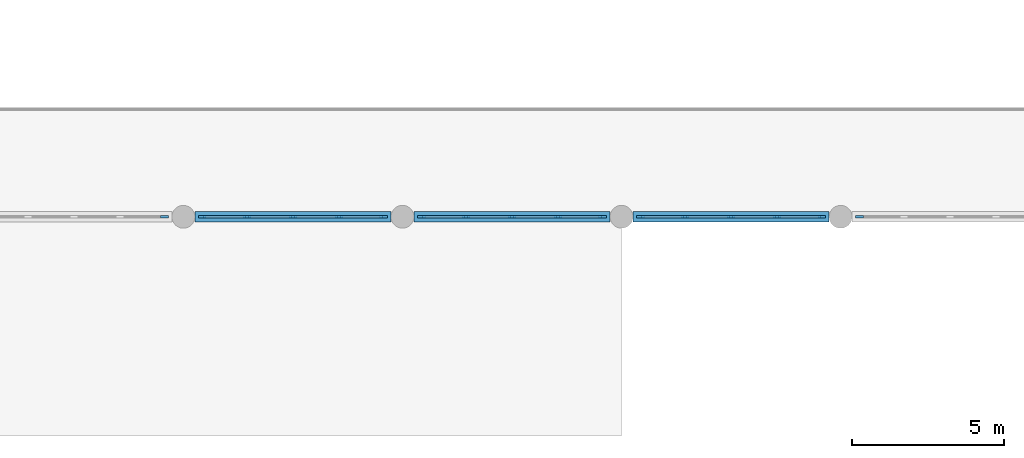
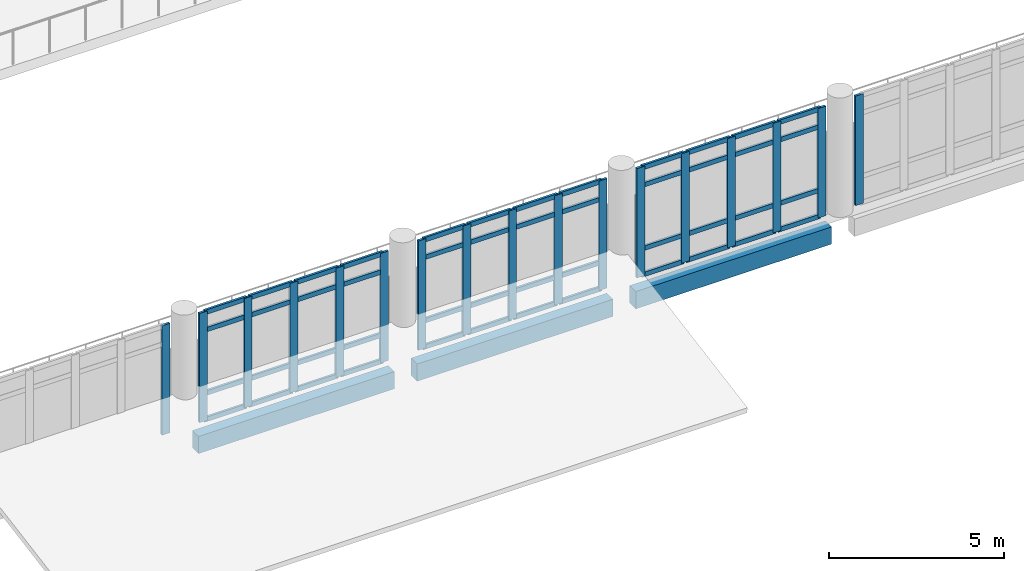
# One storey, part 12 of 57: 65 members, 3 beams, 5 elements without a shape of their own.
"""IFC4 building model written with IfcOpenShell, lengths in metres."""

from ifc_helpers import new_model, si_unit, direction, frame, origin, origin_2d, place, context, subcontext, project, spatial, rectangle, extrude, material, layer, layer_set, material_profile, profile_set, type_object, element, aggregate, save


model = new_model("IFC4")

# Units and contexts
model_context = context("Model", 3, precision=1e-05, world=origin(), true_north=direction((0.0, 1.0)))
body_context = subcontext(model_context, "Body", "Model", "MODEL_VIEW")
ifc_project = project(units=[si_unit("LENGTHUNIT", "METRE"), si_unit("AREAUNIT", "SQUARE_METRE"), si_unit("VOLUMEUNIT", "CUBIC_METRE"), si_unit("PLANEANGLEUNIT", "RADIAN"), si_unit("MASSUNIT", "GRAM", prefix="KILO")], contexts=[model_context])

# Site, building, storey
site_placement = place(None, origin())
site = spatial("IfcSite", under=ifc_project, at=site_placement, CompositionType="ELEMENT")
building_placement = place(site_placement, origin())
building = spatial("IfcBuilding", under=site, at=building_placement, Name="Valkovuoma Quantum and Materials Research Institute", CompositionType="ELEMENT")
storey_placement = place(building_placement, frame((0.0, 0.0, 4.800048828125)))
storey = spatial("IfcBuildingStorey", under=building, at=storey_placement, Name="L01", CompositionType="ELEMENT", Elevation=4.800048828125)

# Beams
ifc_material_1 = material(Name="Concrete C40/50", Category="concrete")
ifc_material_profile_1 = material_profile(ifc_material_1, rectangle(XDim=0.35009765625, YDim=0.60009765625, at=origin_2d()), Name="Concrete C40/50")
ifc_profile_set_1 = profile_set([ifc_material_profile_1], Name="Concrete C40/50")
beam_type = type_object("IfcBeamType", Name="Beam-B-SPN600", PredefinedType="SPANDREL", material=ifc_profile_set_1)
for number, where, z_axis, x_axis, name in (
    (1, (65.175048828125, 36.0, -0.650146484375), (1.0, 0.0, 0.0), (0.0, 1.0, 0.0), "L01 beam X-0571"),
    (2, (72.375, 36.0, -0.650146484375), (1.0, 0.0, 0.0), (0.0, 1.0, 0.0), "L01 beam X-0572"),
    (3, (79.574951171875, 36.0, -0.650146484375), (1.0, 0.0, 0.0), (0.0, 1.0, 0.0), "L01 beam X-0573"),
):
    element("IfcBeam", number, at=place(storey_placement, frame(where, z_axis=z_axis, x_axis=x_axis)), inside=storey, type_object=beam_type, Name=name, PredefinedType="SPANDREL", context=body_context, shape_type="SweptSolid", body=[
        extrude(rectangle(XDim=0.35009765625, YDim=0.60009765625, at=origin_2d()), origin(), (0.0, 0.0, 1.0), 6.449951171875),
    ])

# Curtain wall, member
ifc_material_2 = material(Name="Thermally broken aluminium and triple low-E glazing", Category="aluminium")
ifc_layer = layer(ifc_material_2, 0.219970703125)
ifc_layer_set = layer_set([ifc_layer], Name="Thermally broken aluminium and triple low-E glazing")
curtain_wall_type = type_object("IfcCurtainWallType", Name="CW-CW-02", PredefinedType="NOTDEFINED", material=ifc_layer_set)
curtain_wall_1_placement = place(storey_placement, origin())
curtain_wall_1 = element("IfcCurtainWall", 4, at=curtain_wall_1_placement, inside=storey, type_object=curtain_wall_type, Name="L01 curtain wall 165", PredefinedType="NOTDEFINED")
ifc_material_3 = material(Name="Anodised aluminium 6060-T66", Category="aluminium")
ifc_material_profile_2 = material_profile(ifc_material_3, rectangle(XDim=0.080078125, YDim=0.260009765625, at=origin_2d()), Name="Anodised aluminium 6060-T66")
ifc_profile_set_2 = profile_set([ifc_material_profile_2], Name="Anodised aluminium 6060-T66")
member_type_1 = type_object("IfcMemberType", Name="CWMull-CWM-03", PredefinedType="MULLION", material=ifc_profile_set_2)
member_1_placement = place(storey_placement, frame((64.179931640625, 36.0, 0.0), z_axis=(0.0, 0.0, 1.0), x_axis=(0.0, 1.0, 0.0)))
member_1 = element("IfcMember", 5, at=member_1_placement, type_object=member_type_1, Name="CW-02 mullion 5", PredefinedType="MULLION", context=body_context, shape_type="SweptSolid", body=[
    extrude(rectangle(XDim=0.080078125, YDim=0.260009765625, at=origin_2d()), origin(), (0.0, 0.0, 1.0), 3.81005859375),
])
aggregate(curtain_wall_1, [member_1])

# Curtain wall, members
curtain_wall_2_placement = place(storey_placement, origin())
curtain_wall_2 = element("IfcCurtainWall", 6, at=curtain_wall_2_placement, inside=storey, type_object=curtain_wall_type, Name="L01 curtain wall 166", PredefinedType="NOTDEFINED")
member_2_placement = place(storey_placement, frame((65.419921875, 36.0, 0.0), z_axis=(0.0, 0.0, 1.0), x_axis=(0.0, 1.0, 0.0)))
member_2 = element("IfcMember", 7, at=member_2_placement, type_object=member_type_1, Name="CW-02 mullion 1", PredefinedType="MULLION", context=body_context, shape_type="SweptSolid", body=[
    extrude(rectangle(XDim=0.080078125, YDim=0.260009765625, at=origin_2d()), origin(), (0.0, 0.0, 1.0), 3.81005859375),
])
member_3_placement = place(storey_placement, frame((66.889892578125, 36.0, 0.0), z_axis=(0.0, 0.0, 1.0), x_axis=(0.0, 1.0, 0.0)))
member_3 = element("IfcMember", 8, at=member_3_placement, type_object=member_type_1, Name="CW-02 mullion 2", PredefinedType="MULLION", context=body_context, shape_type="SweptSolid", body=[
    extrude(rectangle(XDim=0.080078125, YDim=0.260009765625, at=origin_2d()), origin(), (0.0, 0.0, 1.0), 3.81005859375),
])
member_4_placement = place(storey_placement, frame((68.39990234375, 36.0, 0.0), z_axis=(0.0, 0.0, 1.0), x_axis=(0.0, 1.0, 0.0)))
member_4 = element("IfcMember", 9, at=member_4_placement, type_object=member_type_1, Name="CW-02 mullion 3", PredefinedType="MULLION", context=body_context, shape_type="SweptSolid", body=[
    extrude(rectangle(XDim=0.080078125, YDim=0.260009765625, at=origin_2d()), origin(), (0.0, 0.0, 1.0), 3.81005859375),
])
member_5_placement = place(storey_placement, frame((69.909912109375, 36.0, 0.0), z_axis=(0.0, 0.0, 1.0), x_axis=(0.0, 1.0, 0.0)))
member_5 = element("IfcMember", 10, at=member_5_placement, type_object=member_type_1, Name="CW-02 mullion 4", PredefinedType="MULLION", context=body_context, shape_type="SweptSolid", body=[
    extrude(rectangle(XDim=0.080078125, YDim=0.260009765625, at=origin_2d()), origin(), (0.0, 0.0, 1.0), 3.81005859375),
])
member_6_placement = place(storey_placement, frame((71.3798828125, 36.0, 0.0), z_axis=(0.0, 0.0, 1.0), x_axis=(0.0, 1.0, 0.0)))
member_6 = element("IfcMember", 11, at=member_6_placement, type_object=member_type_1, Name="CW-02 mullion 5", PredefinedType="MULLION", context=body_context, shape_type="SweptSolid", body=[
    extrude(rectangle(XDim=0.080078125, YDim=0.260009765625, at=origin_2d()), origin(), (0.0, 0.0, 1.0), 3.81005859375),
])

curtain_wall_3_placement = place(storey_placement, origin())
curtain_wall_3 = element("IfcCurtainWall", 12, at=curtain_wall_3_placement, inside=storey, type_object=curtain_wall_type, Name="L01 curtain wall 167", PredefinedType="NOTDEFINED")
member_7_placement = place(storey_placement, frame((72.6201171875, 36.0, 0.0), z_axis=(0.0, 0.0, 1.0), x_axis=(0.0, 1.0, 0.0)))
member_7 = element("IfcMember", 13, at=member_7_placement, type_object=member_type_1, Name="CW-02 mullion 1", PredefinedType="MULLION", context=body_context, shape_type="SweptSolid", body=[
    extrude(rectangle(XDim=0.080078125, YDim=0.260009765625, at=origin_2d()), origin(), (0.0, 0.0, 1.0), 3.81005859375),
])
member_8_placement = place(storey_placement, frame((74.090087890625, 36.0, 0.0), z_axis=(0.0, 0.0, 1.0), x_axis=(0.0, 1.0, 0.0)))
member_8 = element("IfcMember", 14, at=member_8_placement, type_object=member_type_1, Name="CW-02 mullion 2", PredefinedType="MULLION", context=body_context, shape_type="SweptSolid", body=[
    extrude(rectangle(XDim=0.080078125, YDim=0.260009765625, at=origin_2d()), origin(), (0.0, 0.0, 1.0), 3.81005859375),
])
member_9_placement = place(storey_placement, frame((75.60009765625, 36.0, 0.0), z_axis=(0.0, 0.0, 1.0), x_axis=(0.0, 1.0, 0.0)))
member_9 = element("IfcMember", 15, at=member_9_placement, type_object=member_type_1, Name="CW-02 mullion 3", PredefinedType="MULLION", context=body_context, shape_type="SweptSolid", body=[
    extrude(rectangle(XDim=0.080078125, YDim=0.260009765625, at=origin_2d()), origin(), (0.0, 0.0, 1.0), 3.81005859375),
])
member_10_placement = place(storey_placement, frame((77.110107421875, 36.0, 0.0), z_axis=(0.0, 0.0, 1.0), x_axis=(0.0, 1.0, 0.0)))
member_10 = element("IfcMember", 16, at=member_10_placement, type_object=member_type_1, Name="CW-02 mullion 4", PredefinedType="MULLION", context=body_context, shape_type="SweptSolid", body=[
    extrude(rectangle(XDim=0.080078125, YDim=0.260009765625, at=origin_2d()), origin(), (0.0, 0.0, 1.0), 3.81005859375),
])
member_11_placement = place(storey_placement, frame((78.580078125, 36.0, 0.0), z_axis=(0.0, 0.0, 1.0), x_axis=(0.0, 1.0, 0.0)))
member_11 = element("IfcMember", 17, at=member_11_placement, type_object=member_type_1, Name="CW-02 mullion 5", PredefinedType="MULLION", context=body_context, shape_type="SweptSolid", body=[
    extrude(rectangle(XDim=0.080078125, YDim=0.260009765625, at=origin_2d()), origin(), (0.0, 0.0, 1.0), 3.81005859375),
])

curtain_wall_4_placement = place(storey_placement, origin())
curtain_wall_4 = element("IfcCurtainWall", 18, at=curtain_wall_4_placement, inside=storey, type_object=curtain_wall_type, Name="L01 curtain wall 168", PredefinedType="NOTDEFINED")
member_12_placement = place(storey_placement, frame((79.820068359375, 36.0, 0.0), z_axis=(0.0, 0.0, 1.0), x_axis=(0.0, 1.0, 0.0)))
member_12 = element("IfcMember", 19, at=member_12_placement, type_object=member_type_1, Name="CW-02 mullion 1", PredefinedType="MULLION", context=body_context, shape_type="SweptSolid", body=[
    extrude(rectangle(XDim=0.080078125, YDim=0.260009765625, at=origin_2d()), origin(), (0.0, 0.0, 1.0), 3.81005859375),
])
member_13_placement = place(storey_placement, frame((81.2900390625, 36.0, 0.0), z_axis=(0.0, 0.0, 1.0), x_axis=(0.0, 1.0, 0.0)))
member_13 = element("IfcMember", 20, at=member_13_placement, type_object=member_type_1, Name="CW-02 mullion 2", PredefinedType="MULLION", context=body_context, shape_type="SweptSolid", body=[
    extrude(rectangle(XDim=0.080078125, YDim=0.260009765625, at=origin_2d()), origin(), (0.0, 0.0, 1.0), 3.81005859375),
])
member_14_placement = place(storey_placement, frame((82.800048828125, 36.0, 0.0), z_axis=(0.0, 0.0, 1.0), x_axis=(0.0, 1.0, 0.0)))
member_14 = element("IfcMember", 21, at=member_14_placement, type_object=member_type_1, Name="CW-02 mullion 3", PredefinedType="MULLION", context=body_context, shape_type="SweptSolid", body=[
    extrude(rectangle(XDim=0.080078125, YDim=0.260009765625, at=origin_2d()), origin(), (0.0, 0.0, 1.0), 3.81005859375),
])
member_15_placement = place(storey_placement, frame((84.31005859375, 36.0, 0.0), z_axis=(0.0, 0.0, 1.0), x_axis=(0.0, 1.0, 0.0)))
member_15 = element("IfcMember", 22, at=member_15_placement, type_object=member_type_1, Name="CW-02 mullion 4", PredefinedType="MULLION", context=body_context, shape_type="SweptSolid", body=[
    extrude(rectangle(XDim=0.080078125, YDim=0.260009765625, at=origin_2d()), origin(), (0.0, 0.0, 1.0), 3.81005859375),
])
member_16_placement = place(storey_placement, frame((85.780029296875, 36.0, 0.0), z_axis=(0.0, 0.0, 1.0), x_axis=(0.0, 1.0, 0.0)))
member_16 = element("IfcMember", 23, at=member_16_placement, type_object=member_type_1, Name="CW-02 mullion 5", PredefinedType="MULLION", context=body_context, shape_type="SweptSolid", body=[
    extrude(rectangle(XDim=0.080078125, YDim=0.260009765625, at=origin_2d()), origin(), (0.0, 0.0, 1.0), 3.81005859375),
])

# Curtain wall, member
curtain_wall_5_placement = place(storey_placement, origin())
curtain_wall_5 = element("IfcCurtainWall", 24, at=curtain_wall_5_placement, inside=storey, type_object=curtain_wall_type, Name="L01 curtain wall 169", PredefinedType="NOTDEFINED")
member_17_placement = place(storey_placement, frame((87.02001953125, 36.0, 0.0), z_axis=(0.0, 0.0, 1.0), x_axis=(0.0, 1.0, 0.0)))
member_17 = element("IfcMember", 25, at=member_17_placement, type_object=member_type_1, Name="CW-02 mullion 1", PredefinedType="MULLION", context=body_context, shape_type="SweptSolid", body=[
    extrude(rectangle(XDim=0.080078125, YDim=0.260009765625, at=origin_2d()), origin(), (0.0, 0.0, 1.0), 3.81005859375),
])
aggregate(curtain_wall_5, [member_17])

# Member
ifc_material_4 = material(Name="Anodised aluminium 6060-T66", Category="aluminium")
ifc_material_profile_3 = material_profile(ifc_material_4, rectangle(XDim=0.074951171875, YDim=0.159912109375, at=origin_2d()), Name="Anodised aluminium 6060-T66")
ifc_profile_set_3 = profile_set([ifc_material_profile_3], Name="Anodised aluminium 6060-T66")
member_type_2 = type_object("IfcMemberType", Name="CWTran-CWT-02", PredefinedType="USERDEFINED", material=ifc_profile_set_3)
member_18_placement = place(storey_placement, frame((65.4599609375, 36.0, 0.037353515625), z_axis=(1.0, 0.0, 0.0), x_axis=(0.0, 1.0, 0.0)))
member_18 = element("IfcMember", 26, at=member_18_placement, type_object=member_type_2, Name="CW-02 transom 1.1", ObjectType="TRANSOM", PredefinedType="USERDEFINED", context=body_context, shape_type="SweptSolid", body=[
    extrude(rectangle(XDim=0.074951171875, YDim=0.159912109375, at=origin_2d()), origin(), (0.0, 0.0, 1.0), 1.39013671875),
])

member_19_placement = place(storey_placement, frame((65.4599609375, 36.0, 0.949951171875), z_axis=(1.0, 0.0, 0.0), x_axis=(0.0, 1.0, 0.0)))
member_19 = element("IfcMember", 27, at=member_19_placement, type_object=member_type_2, Name="CW-02 transom 1.2", ObjectType="TRANSOM", PredefinedType="USERDEFINED", context=body_context, shape_type="SweptSolid", body=[
    extrude(rectangle(XDim=0.074951171875, YDim=0.159912109375, at=origin_2d()), origin(), (0.0, 0.0, 1.0), 1.39013671875),
])

member_20_placement = place(storey_placement, frame((65.4599609375, 36.0, 3.159912109375), z_axis=(1.0, 0.0, 0.0), x_axis=(0.0, 1.0, 0.0)))
member_20 = element("IfcMember", 28, at=member_20_placement, type_object=member_type_2, Name="CW-02 transom 1.3", ObjectType="TRANSOM", PredefinedType="USERDEFINED", context=body_context, shape_type="SweptSolid", body=[
    extrude(rectangle(XDim=0.074951171875, YDim=0.159912109375, at=origin_2d()), origin(), (0.0, 0.0, 1.0), 1.39013671875),
])

member_21_placement = place(storey_placement, frame((65.4599609375, 36.0, 3.7724609375), z_axis=(1.0, 0.0, 0.0), x_axis=(0.0, 1.0, 0.0)))
member_21 = element("IfcMember", 29, at=member_21_placement, type_object=member_type_2, Name="CW-02 transom 1.4", ObjectType="TRANSOM", PredefinedType="USERDEFINED", context=body_context, shape_type="SweptSolid", body=[
    extrude(rectangle(XDim=0.074951171875, YDim=0.159912109375, at=origin_2d()), origin(), (0.0, 0.0, 1.0), 1.39013671875),
])

member_22_placement = place(storey_placement, frame((66.929931640625, 36.0, 0.037353515625), z_axis=(1.0, 0.0, 0.0), x_axis=(0.0, 1.0, 0.0)))
member_22 = element("IfcMember", 30, at=member_22_placement, type_object=member_type_2, Name="CW-02 transom 2.1", ObjectType="TRANSOM", PredefinedType="USERDEFINED", context=body_context, shape_type="SweptSolid", body=[
    extrude(rectangle(XDim=0.074951171875, YDim=0.159912109375, at=origin_2d()), origin(), (0.0, 0.0, 1.0), 1.43017578125),
])

member_23_placement = place(storey_placement, frame((66.929931640625, 36.0, 0.949951171875), z_axis=(1.0, 0.0, 0.0), x_axis=(0.0, 1.0, 0.0)))
member_23 = element("IfcMember", 31, at=member_23_placement, type_object=member_type_2, Name="CW-02 transom 2.2", ObjectType="TRANSOM", PredefinedType="USERDEFINED", context=body_context, shape_type="SweptSolid", body=[
    extrude(rectangle(XDim=0.074951171875, YDim=0.159912109375, at=origin_2d()), origin(), (0.0, 0.0, 1.0), 1.43017578125),
])

member_24_placement = place(storey_placement, frame((66.929931640625, 36.0, 3.159912109375), z_axis=(1.0, 0.0, 0.0), x_axis=(0.0, 1.0, 0.0)))
member_24 = element("IfcMember", 32, at=member_24_placement, type_object=member_type_2, Name="CW-02 transom 2.3", ObjectType="TRANSOM", PredefinedType="USERDEFINED", context=body_context, shape_type="SweptSolid", body=[
    extrude(rectangle(XDim=0.074951171875, YDim=0.159912109375, at=origin_2d()), origin(), (0.0, 0.0, 1.0), 1.43017578125),
])

member_25_placement = place(storey_placement, frame((66.929931640625, 36.0, 3.7724609375), z_axis=(1.0, 0.0, 0.0), x_axis=(0.0, 1.0, 0.0)))
member_25 = element("IfcMember", 33, at=member_25_placement, type_object=member_type_2, Name="CW-02 transom 2.4", ObjectType="TRANSOM", PredefinedType="USERDEFINED", context=body_context, shape_type="SweptSolid", body=[
    extrude(rectangle(XDim=0.074951171875, YDim=0.159912109375, at=origin_2d()), origin(), (0.0, 0.0, 1.0), 1.43017578125),
])

member_26_placement = place(storey_placement, frame((68.43994140625, 36.0, 0.037353515625), z_axis=(1.0, 0.0, 0.0), x_axis=(0.0, 1.0, 0.0)))
member_26 = element("IfcMember", 34, at=member_26_placement, type_object=member_type_2, Name="CW-02 transom 3.1", ObjectType="TRANSOM", PredefinedType="USERDEFINED", context=body_context, shape_type="SweptSolid", body=[
    extrude(rectangle(XDim=0.074951171875, YDim=0.159912109375, at=origin_2d()), origin(), (0.0, 0.0, 1.0), 1.43017578125),
])

member_27_placement = place(storey_placement, frame((68.43994140625, 36.0, 0.949951171875), z_axis=(1.0, 0.0, 0.0), x_axis=(0.0, 1.0, 0.0)))
member_27 = element("IfcMember", 35, at=member_27_placement, type_object=member_type_2, Name="CW-02 transom 3.2", ObjectType="TRANSOM", PredefinedType="USERDEFINED", context=body_context, shape_type="SweptSolid", body=[
    extrude(rectangle(XDim=0.074951171875, YDim=0.159912109375, at=origin_2d()), origin(), (0.0, 0.0, 1.0), 1.43017578125),
])

member_28_placement = place(storey_placement, frame((68.43994140625, 36.0, 3.159912109375), z_axis=(1.0, 0.0, 0.0), x_axis=(0.0, 1.0, 0.0)))
member_28 = element("IfcMember", 36, at=member_28_placement, type_object=member_type_2, Name="CW-02 transom 3.3", ObjectType="TRANSOM", PredefinedType="USERDEFINED", context=body_context, shape_type="SweptSolid", body=[
    extrude(rectangle(XDim=0.074951171875, YDim=0.159912109375, at=origin_2d()), origin(), (0.0, 0.0, 1.0), 1.43017578125),
])

member_29_placement = place(storey_placement, frame((68.43994140625, 36.0, 3.7724609375), z_axis=(1.0, 0.0, 0.0), x_axis=(0.0, 1.0, 0.0)))
member_29 = element("IfcMember", 37, at=member_29_placement, type_object=member_type_2, Name="CW-02 transom 3.4", ObjectType="TRANSOM", PredefinedType="USERDEFINED", context=body_context, shape_type="SweptSolid", body=[
    extrude(rectangle(XDim=0.074951171875, YDim=0.159912109375, at=origin_2d()), origin(), (0.0, 0.0, 1.0), 1.43017578125),
])

member_30_placement = place(storey_placement, frame((69.949951171875, 36.0, 0.037353515625), z_axis=(1.0, 0.0, 0.0), x_axis=(0.0, 1.0, 0.0)))
member_30 = element("IfcMember", 38, at=member_30_placement, type_object=member_type_2, Name="CW-02 transom 4.1", ObjectType="TRANSOM", PredefinedType="USERDEFINED", context=body_context, shape_type="SweptSolid", body=[
    extrude(rectangle(XDim=0.074951171875, YDim=0.159912109375, at=origin_2d()), origin(), (0.0, 0.0, 1.0), 1.39013671875),
])

member_31_placement = place(storey_placement, frame((69.949951171875, 36.0, 0.949951171875), z_axis=(1.0, 0.0, 0.0), x_axis=(0.0, 1.0, 0.0)))
member_31 = element("IfcMember", 39, at=member_31_placement, type_object=member_type_2, Name="CW-02 transom 4.2", ObjectType="TRANSOM", PredefinedType="USERDEFINED", context=body_context, shape_type="SweptSolid", body=[
    extrude(rectangle(XDim=0.074951171875, YDim=0.159912109375, at=origin_2d()), origin(), (0.0, 0.0, 1.0), 1.39013671875),
])

member_32_placement = place(storey_placement, frame((69.949951171875, 36.0, 3.159912109375), z_axis=(1.0, 0.0, 0.0), x_axis=(0.0, 1.0, 0.0)))
member_32 = element("IfcMember", 40, at=member_32_placement, type_object=member_type_2, Name="CW-02 transom 4.3", ObjectType="TRANSOM", PredefinedType="USERDEFINED", context=body_context, shape_type="SweptSolid", body=[
    extrude(rectangle(XDim=0.074951171875, YDim=0.159912109375, at=origin_2d()), origin(), (0.0, 0.0, 1.0), 1.39013671875),
])

member_33_placement = place(storey_placement, frame((69.949951171875, 36.0, 3.7724609375), z_axis=(1.0, 0.0, 0.0), x_axis=(0.0, 1.0, 0.0)))
member_33 = element("IfcMember", 41, at=member_33_placement, type_object=member_type_2, Name="CW-02 transom 4.4", ObjectType="TRANSOM", PredefinedType="USERDEFINED", context=body_context, shape_type="SweptSolid", body=[
    extrude(rectangle(XDim=0.074951171875, YDim=0.159912109375, at=origin_2d()), origin(), (0.0, 0.0, 1.0), 1.39013671875),
])

aggregate(curtain_wall_2, [member_2, member_3, member_4, member_5, member_6, member_18, member_19, member_20, member_21, member_22, member_23, member_24, member_25, member_26, member_27, member_28, member_29, member_30, member_31, member_32, member_33])

member_34_placement = place(storey_placement, frame((72.659912109375, 36.0, 0.037353515625), z_axis=(1.0, 0.0, 0.0), x_axis=(0.0, 1.0, 0.0)))
member_34 = element("IfcMember", 42, at=member_34_placement, type_object=member_type_2, Name="CW-02 transom 1.1", ObjectType="TRANSOM", PredefinedType="USERDEFINED", context=body_context, shape_type="SweptSolid", body=[
    extrude(rectangle(XDim=0.074951171875, YDim=0.159912109375, at=origin_2d()), origin(), (0.0, 0.0, 1.0), 1.39013671875),
])

member_35_placement = place(storey_placement, frame((72.659912109375, 36.0, 0.949951171875), z_axis=(1.0, 0.0, 0.0), x_axis=(0.0, 1.0, 0.0)))
member_35 = element("IfcMember", 43, at=member_35_placement, type_object=member_type_2, Name="CW-02 transom 1.2", ObjectType="TRANSOM", PredefinedType="USERDEFINED", context=body_context, shape_type="SweptSolid", body=[
    extrude(rectangle(XDim=0.074951171875, YDim=0.159912109375, at=origin_2d()), origin(), (0.0, 0.0, 1.0), 1.39013671875),
])

member_36_placement = place(storey_placement, frame((72.659912109375, 36.0, 3.159912109375), z_axis=(1.0, 0.0, 0.0), x_axis=(0.0, 1.0, 0.0)))
member_36 = element("IfcMember", 44, at=member_36_placement, type_object=member_type_2, Name="CW-02 transom 1.3", ObjectType="TRANSOM", PredefinedType="USERDEFINED", context=body_context, shape_type="SweptSolid", body=[
    extrude(rectangle(XDim=0.074951171875, YDim=0.159912109375, at=origin_2d()), origin(), (0.0, 0.0, 1.0), 1.39013671875),
])

member_37_placement = place(storey_placement, frame((72.659912109375, 36.0, 3.7724609375), z_axis=(1.0, 0.0, 0.0), x_axis=(0.0, 1.0, 0.0)))
member_37 = element("IfcMember", 45, at=member_37_placement, type_object=member_type_2, Name="CW-02 transom 1.4", ObjectType="TRANSOM", PredefinedType="USERDEFINED", context=body_context, shape_type="SweptSolid", body=[
    extrude(rectangle(XDim=0.074951171875, YDim=0.159912109375, at=origin_2d()), origin(), (0.0, 0.0, 1.0), 1.39013671875),
])

member_38_placement = place(storey_placement, frame((74.1298828125, 36.0, 0.037353515625), z_axis=(1.0, 0.0, 0.0), x_axis=(0.0, 1.0, 0.0)))
member_38 = element("IfcMember", 46, at=member_38_placement, type_object=member_type_2, Name="CW-02 transom 2.1", ObjectType="TRANSOM", PredefinedType="USERDEFINED", context=body_context, shape_type="SweptSolid", body=[
    extrude(rectangle(XDim=0.074951171875, YDim=0.159912109375, at=origin_2d()), origin(), (0.0, 0.0, 1.0), 1.43017578125),
])

member_39_placement = place(storey_placement, frame((74.1298828125, 36.0, 0.949951171875), z_axis=(1.0, 0.0, 0.0), x_axis=(0.0, 1.0, 0.0)))
member_39 = element("IfcMember", 47, at=member_39_placement, type_object=member_type_2, Name="CW-02 transom 2.2", ObjectType="TRANSOM", PredefinedType="USERDEFINED", context=body_context, shape_type="SweptSolid", body=[
    extrude(rectangle(XDim=0.074951171875, YDim=0.159912109375, at=origin_2d()), origin(), (0.0, 0.0, 1.0), 1.43017578125),
])

member_40_placement = place(storey_placement, frame((74.1298828125, 36.0, 3.159912109375), z_axis=(1.0, 0.0, 0.0), x_axis=(0.0, 1.0, 0.0)))
member_40 = element("IfcMember", 48, at=member_40_placement, type_object=member_type_2, Name="CW-02 transom 2.3", ObjectType="TRANSOM", PredefinedType="USERDEFINED", context=body_context, shape_type="SweptSolid", body=[
    extrude(rectangle(XDim=0.074951171875, YDim=0.159912109375, at=origin_2d()), origin(), (0.0, 0.0, 1.0), 1.43017578125),
])

member_41_placement = place(storey_placement, frame((74.1298828125, 36.0, 3.7724609375), z_axis=(1.0, 0.0, 0.0), x_axis=(0.0, 1.0, 0.0)))
member_41 = element("IfcMember", 49, at=member_41_placement, type_object=member_type_2, Name="CW-02 transom 2.4", ObjectType="TRANSOM", PredefinedType="USERDEFINED", context=body_context, shape_type="SweptSolid", body=[
    extrude(rectangle(XDim=0.074951171875, YDim=0.159912109375, at=origin_2d()), origin(), (0.0, 0.0, 1.0), 1.43017578125),
])

member_42_placement = place(storey_placement, frame((75.639892578125, 36.0, 0.037353515625), z_axis=(1.0, 0.0, 0.0), x_axis=(0.0, 1.0, 0.0)))
member_42 = element("IfcMember", 50, at=member_42_placement, type_object=member_type_2, Name="CW-02 transom 3.1", ObjectType="TRANSOM", PredefinedType="USERDEFINED", context=body_context, shape_type="SweptSolid", body=[
    extrude(rectangle(XDim=0.074951171875, YDim=0.159912109375, at=origin_2d()), origin(), (0.0, 0.0, 1.0), 1.43017578125),
])

member_43_placement = place(storey_placement, frame((75.639892578125, 36.0, 0.949951171875), z_axis=(1.0, 0.0, 0.0), x_axis=(0.0, 1.0, 0.0)))
member_43 = element("IfcMember", 51, at=member_43_placement, type_object=member_type_2, Name="CW-02 transom 3.2", ObjectType="TRANSOM", PredefinedType="USERDEFINED", context=body_context, shape_type="SweptSolid", body=[
    extrude(rectangle(XDim=0.074951171875, YDim=0.159912109375, at=origin_2d()), origin(), (0.0, 0.0, 1.0), 1.43017578125),
])

member_44_placement = place(storey_placement, frame((75.639892578125, 36.0, 3.159912109375), z_axis=(1.0, 0.0, 0.0), x_axis=(0.0, 1.0, 0.0)))
member_44 = element("IfcMember", 52, at=member_44_placement, type_object=member_type_2, Name="CW-02 transom 3.3", ObjectType="TRANSOM", PredefinedType="USERDEFINED", context=body_context, shape_type="SweptSolid", body=[
    extrude(rectangle(XDim=0.074951171875, YDim=0.159912109375, at=origin_2d()), origin(), (0.0, 0.0, 1.0), 1.43017578125),
])

member_45_placement = place(storey_placement, frame((75.639892578125, 36.0, 3.7724609375), z_axis=(1.0, 0.0, 0.0), x_axis=(0.0, 1.0, 0.0)))
member_45 = element("IfcMember", 53, at=member_45_placement, type_object=member_type_2, Name="CW-02 transom 3.4", ObjectType="TRANSOM", PredefinedType="USERDEFINED", context=body_context, shape_type="SweptSolid", body=[
    extrude(rectangle(XDim=0.074951171875, YDim=0.159912109375, at=origin_2d()), origin(), (0.0, 0.0, 1.0), 1.43017578125),
])

member_46_placement = place(storey_placement, frame((77.14990234375, 36.0, 0.037353515625), z_axis=(1.0, 0.0, 0.0), x_axis=(0.0, 1.0, 0.0)))
member_46 = element("IfcMember", 54, at=member_46_placement, type_object=member_type_2, Name="CW-02 transom 4.1", ObjectType="TRANSOM", PredefinedType="USERDEFINED", context=body_context, shape_type="SweptSolid", body=[
    extrude(rectangle(XDim=0.074951171875, YDim=0.159912109375, at=origin_2d()), origin(), (0.0, 0.0, 1.0), 1.39013671875),
])

member_47_placement = place(storey_placement, frame((77.14990234375, 36.0, 0.949951171875), z_axis=(1.0, 0.0, 0.0), x_axis=(0.0, 1.0, 0.0)))
member_47 = element("IfcMember", 55, at=member_47_placement, type_object=member_type_2, Name="CW-02 transom 4.2", ObjectType="TRANSOM", PredefinedType="USERDEFINED", context=body_context, shape_type="SweptSolid", body=[
    extrude(rectangle(XDim=0.074951171875, YDim=0.159912109375, at=origin_2d()), origin(), (0.0, 0.0, 1.0), 1.39013671875),
])

member_48_placement = place(storey_placement, frame((77.14990234375, 36.0, 3.159912109375), z_axis=(1.0, 0.0, 0.0), x_axis=(0.0, 1.0, 0.0)))
member_48 = element("IfcMember", 56, at=member_48_placement, type_object=member_type_2, Name="CW-02 transom 4.3", ObjectType="TRANSOM", PredefinedType="USERDEFINED", context=body_context, shape_type="SweptSolid", body=[
    extrude(rectangle(XDim=0.074951171875, YDim=0.159912109375, at=origin_2d()), origin(), (0.0, 0.0, 1.0), 1.39013671875),
])

member_49_placement = place(storey_placement, frame((77.14990234375, 36.0, 3.7724609375), z_axis=(1.0, 0.0, 0.0), x_axis=(0.0, 1.0, 0.0)))
member_49 = element("IfcMember", 57, at=member_49_placement, type_object=member_type_2, Name="CW-02 transom 4.4", ObjectType="TRANSOM", PredefinedType="USERDEFINED", context=body_context, shape_type="SweptSolid", body=[
    extrude(rectangle(XDim=0.074951171875, YDim=0.159912109375, at=origin_2d()), origin(), (0.0, 0.0, 1.0), 1.39013671875),
])

aggregate(curtain_wall_3, [member_7, member_8, member_9, member_10, member_11, member_34, member_35, member_36, member_37, member_38, member_39, member_40, member_41, member_42, member_43, member_44, member_45, member_46, member_47, member_48, member_49])

member_50_placement = place(storey_placement, frame((79.860107421875, 36.0, 0.037353515625), z_axis=(1.0, 0.0, 0.0), x_axis=(0.0, 1.0, 0.0)))
member_50 = element("IfcMember", 58, at=member_50_placement, type_object=member_type_2, Name="CW-02 transom 1.1", ObjectType="TRANSOM", PredefinedType="USERDEFINED", context=body_context, shape_type="SweptSolid", body=[
    extrude(rectangle(XDim=0.074951171875, YDim=0.159912109375, at=origin_2d()), origin(), (0.0, 0.0, 1.0), 1.389892578125),
])

member_51_placement = place(storey_placement, frame((79.860107421875, 36.0, 0.949951171875), z_axis=(1.0, 0.0, 0.0), x_axis=(0.0, 1.0, 0.0)))
member_51 = element("IfcMember", 59, at=member_51_placement, type_object=member_type_2, Name="CW-02 transom 1.2", ObjectType="TRANSOM", PredefinedType="USERDEFINED", context=body_context, shape_type="SweptSolid", body=[
    extrude(rectangle(XDim=0.074951171875, YDim=0.159912109375, at=origin_2d()), origin(), (0.0, 0.0, 1.0), 1.389892578125),
])

member_52_placement = place(storey_placement, frame((79.860107421875, 36.0, 3.159912109375), z_axis=(1.0, 0.0, 0.0), x_axis=(0.0, 1.0, 0.0)))
member_52 = element("IfcMember", 60, at=member_52_placement, type_object=member_type_2, Name="CW-02 transom 1.3", ObjectType="TRANSOM", PredefinedType="USERDEFINED", context=body_context, shape_type="SweptSolid", body=[
    extrude(rectangle(XDim=0.074951171875, YDim=0.159912109375, at=origin_2d()), origin(), (0.0, 0.0, 1.0), 1.389892578125),
])

member_53_placement = place(storey_placement, frame((79.860107421875, 36.0, 3.7724609375), z_axis=(1.0, 0.0, 0.0), x_axis=(0.0, 1.0, 0.0)))
member_53 = element("IfcMember", 61, at=member_53_placement, type_object=member_type_2, Name="CW-02 transom 1.4", ObjectType="TRANSOM", PredefinedType="USERDEFINED", context=body_context, shape_type="SweptSolid", body=[
    extrude(rectangle(XDim=0.074951171875, YDim=0.159912109375, at=origin_2d()), origin(), (0.0, 0.0, 1.0), 1.389892578125),
])

member_54_placement = place(storey_placement, frame((81.330078125, 36.0, 0.037353515625), z_axis=(1.0, 0.0, 0.0), x_axis=(0.0, 1.0, 0.0)))
member_54 = element("IfcMember", 62, at=member_54_placement, type_object=member_type_2, Name="CW-02 transom 2.1", ObjectType="TRANSOM", PredefinedType="USERDEFINED", context=body_context, shape_type="SweptSolid", body=[
    extrude(rectangle(XDim=0.074951171875, YDim=0.159912109375, at=origin_2d()), origin(), (0.0, 0.0, 1.0), 1.429931640625),
])

member_55_placement = place(storey_placement, frame((81.330078125, 36.0, 0.949951171875), z_axis=(1.0, 0.0, 0.0), x_axis=(0.0, 1.0, 0.0)))
member_55 = element("IfcMember", 63, at=member_55_placement, type_object=member_type_2, Name="CW-02 transom 2.2", ObjectType="TRANSOM", PredefinedType="USERDEFINED", context=body_context, shape_type="SweptSolid", body=[
    extrude(rectangle(XDim=0.074951171875, YDim=0.159912109375, at=origin_2d()), origin(), (0.0, 0.0, 1.0), 1.429931640625),
])

member_56_placement = place(storey_placement, frame((81.330078125, 36.0, 3.159912109375), z_axis=(1.0, 0.0, 0.0), x_axis=(0.0, 1.0, 0.0)))
member_56 = element("IfcMember", 64, at=member_56_placement, type_object=member_type_2, Name="CW-02 transom 2.3", ObjectType="TRANSOM", PredefinedType="USERDEFINED", context=body_context, shape_type="SweptSolid", body=[
    extrude(rectangle(XDim=0.074951171875, YDim=0.159912109375, at=origin_2d()), origin(), (0.0, 0.0, 1.0), 1.429931640625),
])

member_57_placement = place(storey_placement, frame((81.330078125, 36.0, 3.7724609375), z_axis=(1.0, 0.0, 0.0), x_axis=(0.0, 1.0, 0.0)))
member_57 = element("IfcMember", 65, at=member_57_placement, type_object=member_type_2, Name="CW-02 transom 2.4", ObjectType="TRANSOM", PredefinedType="USERDEFINED", context=body_context, shape_type="SweptSolid", body=[
    extrude(rectangle(XDim=0.074951171875, YDim=0.159912109375, at=origin_2d()), origin(), (0.0, 0.0, 1.0), 1.429931640625),
])

member_58_placement = place(storey_placement, frame((82.840087890625, 36.0, 0.037353515625), z_axis=(1.0, 0.0, 0.0), x_axis=(0.0, 1.0, 0.0)))
member_58 = element("IfcMember", 66, at=member_58_placement, type_object=member_type_2, Name="CW-02 transom 3.1", ObjectType="TRANSOM", PredefinedType="USERDEFINED", context=body_context, shape_type="SweptSolid", body=[
    extrude(rectangle(XDim=0.074951171875, YDim=0.159912109375, at=origin_2d()), origin(), (0.0, 0.0, 1.0), 1.429931640625),
])

member_59_placement = place(storey_placement, frame((82.840087890625, 36.0, 0.949951171875), z_axis=(1.0, 0.0, 0.0), x_axis=(0.0, 1.0, 0.0)))
member_59 = element("IfcMember", 67, at=member_59_placement, type_object=member_type_2, Name="CW-02 transom 3.2", ObjectType="TRANSOM", PredefinedType="USERDEFINED", context=body_context, shape_type="SweptSolid", body=[
    extrude(rectangle(XDim=0.074951171875, YDim=0.159912109375, at=origin_2d()), origin(), (0.0, 0.0, 1.0), 1.429931640625),
])

member_60_placement = place(storey_placement, frame((82.840087890625, 36.0, 3.159912109375), z_axis=(1.0, 0.0, 0.0), x_axis=(0.0, 1.0, 0.0)))
member_60 = element("IfcMember", 68, at=member_60_placement, type_object=member_type_2, Name="CW-02 transom 3.3", ObjectType="TRANSOM", PredefinedType="USERDEFINED", context=body_context, shape_type="SweptSolid", body=[
    extrude(rectangle(XDim=0.074951171875, YDim=0.159912109375, at=origin_2d()), origin(), (0.0, 0.0, 1.0), 1.429931640625),
])

member_61_placement = place(storey_placement, frame((82.840087890625, 36.0, 3.7724609375), z_axis=(1.0, 0.0, 0.0), x_axis=(0.0, 1.0, 0.0)))
member_61 = element("IfcMember", 69, at=member_61_placement, type_object=member_type_2, Name="CW-02 transom 3.4", ObjectType="TRANSOM", PredefinedType="USERDEFINED", context=body_context, shape_type="SweptSolid", body=[
    extrude(rectangle(XDim=0.074951171875, YDim=0.159912109375, at=origin_2d()), origin(), (0.0, 0.0, 1.0), 1.429931640625),
])

member_62_placement = place(storey_placement, frame((84.35009765625, 36.0, 0.037353515625), z_axis=(1.0, 0.0, 0.0), x_axis=(0.0, 1.0, 0.0)))
member_62 = element("IfcMember", 70, at=member_62_placement, type_object=member_type_2, Name="CW-02 transom 4.1", ObjectType="TRANSOM", PredefinedType="USERDEFINED", context=body_context, shape_type="SweptSolid", body=[
    extrude(rectangle(XDim=0.074951171875, YDim=0.159912109375, at=origin_2d()), origin(), (0.0, 0.0, 1.0), 1.389892578125),
])

member_63_placement = place(storey_placement, frame((84.35009765625, 36.0, 0.949951171875), z_axis=(1.0, 0.0, 0.0), x_axis=(0.0, 1.0, 0.0)))
member_63 = element("IfcMember", 71, at=member_63_placement, type_object=member_type_2, Name="CW-02 transom 4.2", ObjectType="TRANSOM", PredefinedType="USERDEFINED", context=body_context, shape_type="SweptSolid", body=[
    extrude(rectangle(XDim=0.074951171875, YDim=0.159912109375, at=origin_2d()), origin(), (0.0, 0.0, 1.0), 1.389892578125),
])

member_64_placement = place(storey_placement, frame((84.35009765625, 36.0, 3.159912109375), z_axis=(1.0, 0.0, 0.0), x_axis=(0.0, 1.0, 0.0)))
member_64 = element("IfcMember", 72, at=member_64_placement, type_object=member_type_2, Name="CW-02 transom 4.3", ObjectType="TRANSOM", PredefinedType="USERDEFINED", context=body_context, shape_type="SweptSolid", body=[
    extrude(rectangle(XDim=0.074951171875, YDim=0.159912109375, at=origin_2d()), origin(), (0.0, 0.0, 1.0), 1.389892578125),
])

member_65_placement = place(storey_placement, frame((84.35009765625, 36.0, 3.7724609375), z_axis=(1.0, 0.0, 0.0), x_axis=(0.0, 1.0, 0.0)))
member_65 = element("IfcMember", 73, at=member_65_placement, type_object=member_type_2, Name="CW-02 transom 4.4", ObjectType="TRANSOM", PredefinedType="USERDEFINED", context=body_context, shape_type="SweptSolid", body=[
    extrude(rectangle(XDim=0.074951171875, YDim=0.159912109375, at=origin_2d()), origin(), (0.0, 0.0, 1.0), 1.389892578125),
])

aggregate(curtain_wall_4, [member_12, member_13, member_14, member_15, member_16, member_50, member_51, member_52, member_53, member_54, member_55, member_56, member_57, member_58, member_59, member_60, member_61, member_62, member_63, member_64, member_65])

save(model, "model.ifc")
